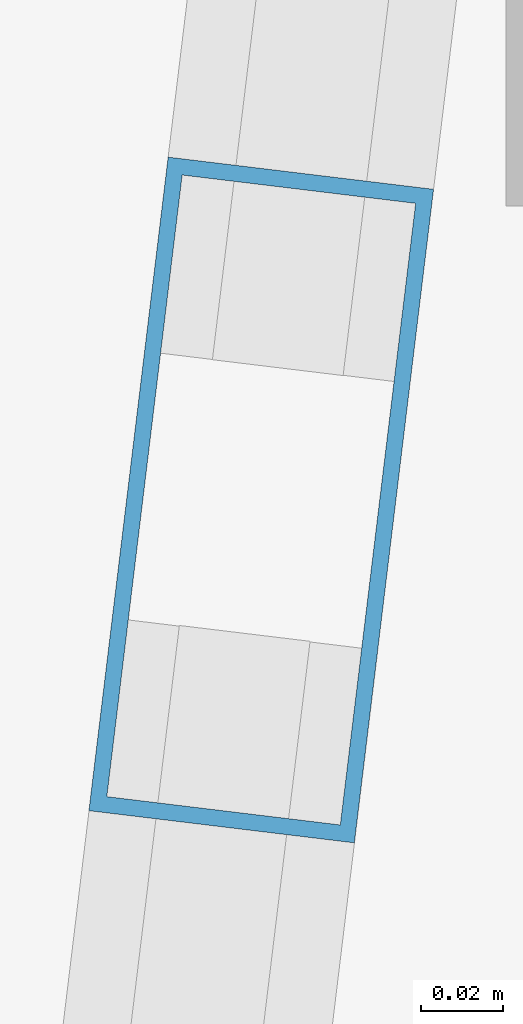
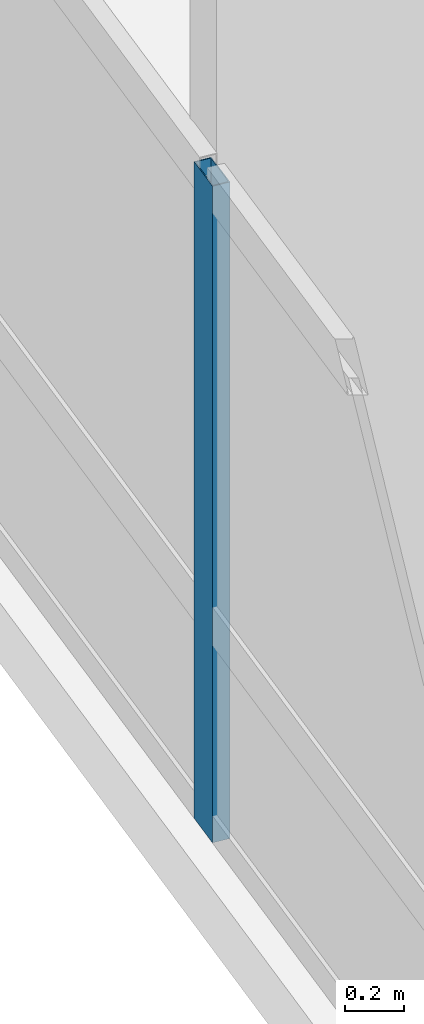
# One storey, part 4 of 26: 1 member, 1 element without a shape of its own.
"""IFC4 building model written with IfcOpenShell, lengths in metres."""

from ifc_helpers import new_model, si_unit, direction, frame, origin, origin_2d, place, context, subcontext, project, spatial, hollow_rectangle, extrude, material, layer, layer_set, material_profile, profile_set, type_object, element, aggregate, save


model = new_model("IFC4")

# Units and contexts
model_context = context("Model", 3, precision=1e-05, world=origin(), true_north=direction((0.0, 1.0)))
body_context = subcontext(model_context, "Body", "Model", "MODEL_VIEW")
ifc_project = project(units=[si_unit("LENGTHUNIT", "METRE"), si_unit("AREAUNIT", "SQUARE_METRE"), si_unit("VOLUMEUNIT", "CUBIC_METRE"), si_unit("PLANEANGLEUNIT", "RADIAN"), si_unit("MASSUNIT", "GRAM", prefix="KILO")], contexts=[model_context])

# Site, building, storey
site_placement = place(None, origin())
site = spatial("IfcSite", under=ifc_project, at=site_placement, CompositionType="ELEMENT")
building_placement = place(site_placement, origin())
building = spatial("IfcBuilding", under=site, at=building_placement, Name="Varnelok Gate Tower", CompositionType="ELEMENT")
storey_placement = place(building_placement, frame((0.0, 0.0, 129.10009765625)))
storey = spatial("IfcBuildingStorey", under=building, at=storey_placement, Name="L32", CompositionType="ELEMENT", Elevation=129.10009765625)

# Curtain wall, member
ifc_material = material(Name="Anodized Aluminum Alloy 6063-T6", Category="aluminium")
ifc_layer = layer(ifc_material, 0.179931640625)
ifc_layer_set = layer_set([ifc_layer], Name="Anodized Aluminum Alloy 6063-T6")
curtain_wall_type = type_object("IfcCurtainWallType", Name="CW3-HOTEL-VISION", PredefinedType="USERDEFINED", material=ifc_layer_set)
curtain_wall_placement = place(storey_placement, origin())
curtain_wall = element("IfcCurtainWall", 1, at=curtain_wall_placement, inside=storey, type_object=curtain_wall_type, Name="L32 West End Vision Curtain Wall", ObjectType="UNITISED CURTAIN WALL", PredefinedType="USERDEFINED")
ifc_material_profile = material_profile(ifc_material, hollow_rectangle(XDim=0.06494140625, YDim=0.159912109375, WallThickness=0.00390625, at=origin_2d()), Name="ALU160X65X4")
ifc_profile_set = profile_set([ifc_material_profile], Name="Anodized Aluminum Alloy 6063-T6")
member_type = type_object("IfcMemberType", Name="CW-MULL-160", PredefinedType="MULLION", material=ifc_profile_set)
member_placement = place(storey_placement, frame((1.109619140625, 19.03857421875, 0.0), z_axis=(0.0, 0.0, 1.0), x_axis=(-0.99273188146, 0.120347046212, 0.0)))
member = element("IfcMember", 2, at=member_placement, type_object=member_type, Name="CW3 mullion 2", PredefinedType="MULLION", context=body_context, shape_type="SweptSolid", body=[
    extrude(hollow_rectangle(XDim=0.06494140625, YDim=0.159912109375, WallThickness=0.00390625, at=origin_2d()), origin(), (0.0, 0.0, 1.0), 2.72998046875),
])
aggregate(curtain_wall, [member])

save(model, "model.ifc")
